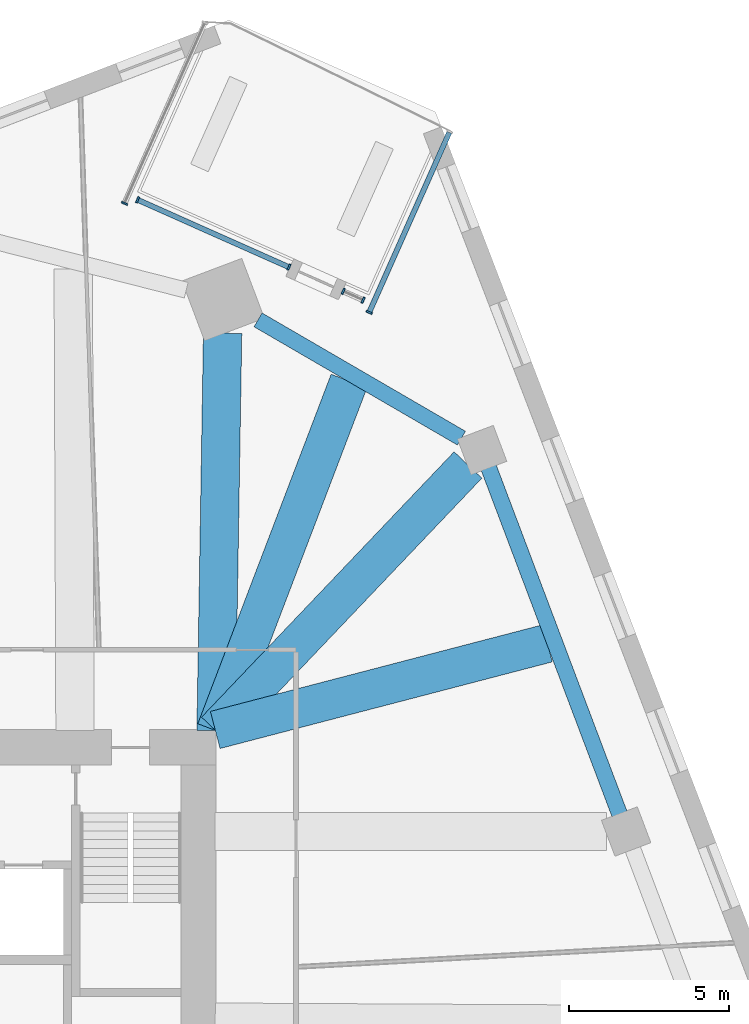
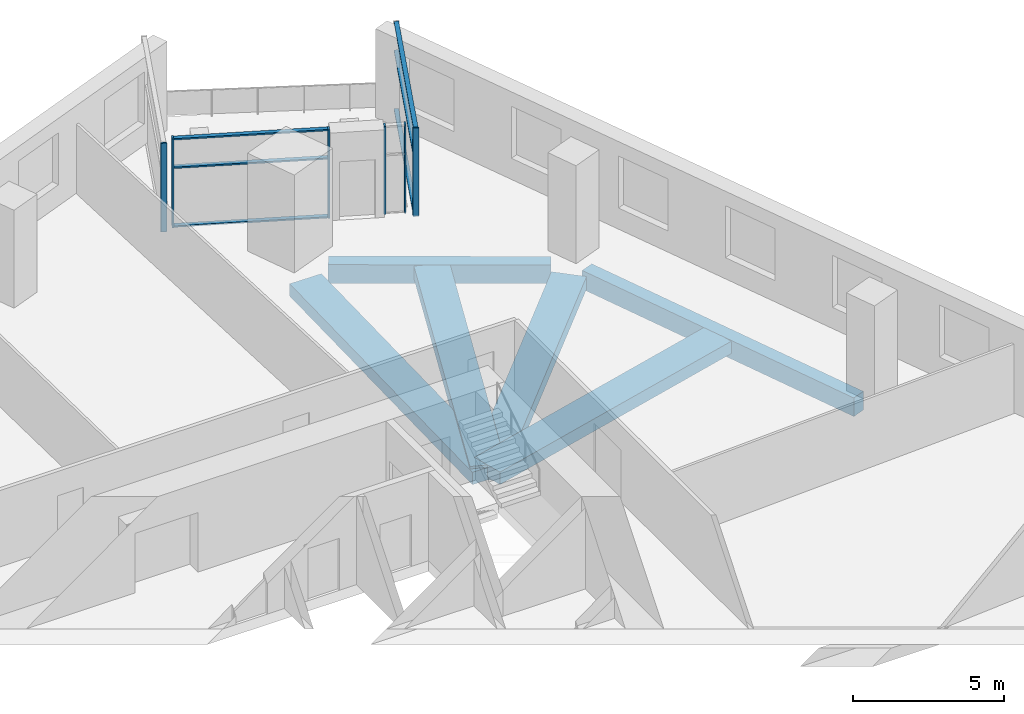
# One storey, part 2 of 14: 12 members, 6 beams, 4 elements without a shape of their own.
"""IFC4 building model written with IfcOpenShell, lengths in metres."""

from ifc_helpers import new_model, si_unit, direction, frame, origin, origin_2d, place, context, subcontext, project, spatial, rectangle, extrude, material, material_profile, profile_set, type_object, element, aggregate, save


model = new_model("IFC4")

# Units and contexts
model_context = context("Model", 3, precision=1e-05, world=origin(), true_north=direction((0.0, 1.0)))
body_context = subcontext(model_context, "Body", "Model", "MODEL_VIEW")
ifc_project = project(units=[si_unit("LENGTHUNIT", "METRE"), si_unit("AREAUNIT", "SQUARE_METRE"), si_unit("VOLUMEUNIT", "CUBIC_METRE"), si_unit("PLANEANGLEUNIT", "RADIAN"), si_unit("MASSUNIT", "GRAM", prefix="KILO")], contexts=[model_context])

# Site, building, storey
site_placement = place(None, origin())
site = spatial("IfcSite", under=ifc_project, at=site_placement, CompositionType="ELEMENT")
building_placement = place(site_placement, origin())
building = spatial("IfcBuilding", under=site, at=building_placement, Name="Dilmun Exchange Tower", CompositionType="ELEMENT")
storey_placement = place(building_placement, frame((0.0, 0.0, 102.10009765625)))
storey = spatial("IfcBuildingStorey", under=building, at=storey_placement, Name="L23", CompositionType="ELEMENT", Elevation=102.10009765625)

# Curtain wall, member
ifc_material_1 = material(Name="Anodised aluminium and clear glass", Category="aluminium")
curtain_wall_type = type_object("IfcCurtainWallType", Name="Garden corner glazing", PredefinedType="NOTDEFINED", material=ifc_material_1)
curtain_wall_1_placement = place(storey_placement, origin())
curtain_wall_1 = element("IfcCurtainWall", 1, at=curtain_wall_1_placement, inside=storey, type_object=curtain_wall_type, Name="Garden corner glazing run GC1.1", PredefinedType="NOTDEFINED")
ifc_material_2 = material(Name="Anodised aluminium", Category="aluminium")
ifc_material_profile_1 = material_profile(ifc_material_2, rectangle(XDim=0.199951171875, YDim=0.06005859375, at=origin_2d()), Name="AL 60x200")
ifc_profile_set_1 = profile_set([ifc_material_profile_1], Name="Anodised aluminium")
member_type_1 = type_object("IfcMemberType", Name="Garden corner glazing mullion 60 x 200", PredefinedType="MULLION", material=ifc_profile_set_1)
member_1_placement = place(storey_placement, frame((17.689697265625, 25.95556640625, 0.0), z_axis=(0.0, 0.0, 1.0), x_axis=(0.913542660018, -0.406742926585, 0.0)))
member_1 = element("IfcMember", 2, at=member_1_placement, type_object=member_type_1, Name="GC1.1 mullion 2", PredefinedType="MULLION", context=body_context, shape_type="SweptSolid", body=[
    extrude(rectangle(XDim=0.199951171875, YDim=0.06005859375, at=origin_2d()), origin(), (0.0, 0.0, 1.0), 3.579833984375),
])

# Curtain wall, members
curtain_wall_2_placement = place(storey_placement, origin())
curtain_wall_2 = element("IfcCurtainWall", 3, at=curtain_wall_2_placement, inside=storey, type_object=curtain_wall_type, Name="Garden corner glazing run GC2.1", PredefinedType="NOTDEFINED")
member_2_placement = place(storey_placement, frame((17.498046875, 26.33642578125, 0.0), z_axis=(0.0, 0.0, 1.0), x_axis=(-0.406828767469, -0.913504435654, 0.0)))
member_2 = element("IfcMember", 4, at=member_2_placement, type_object=member_type_1, Name="GC2.1 mullion 1", PredefinedType="MULLION", context=body_context, shape_type="SweptSolid", body=[
    extrude(rectangle(XDim=0.199951171875, YDim=0.06005859375, at=origin_2d()), origin(), (0.0, 0.0, 1.0), 3.579833984375),
])
member_3_placement = place(storey_placement, frame((16.877685546875, 26.61279296875, 0.0), z_axis=(0.0, 0.0, 1.0), x_axis=(-0.406828767469, -0.913504435654, 0.0)))
member_3 = element("IfcMember", 5, at=member_3_placement, type_object=member_type_1, Name="GC2.1 mullion 2", PredefinedType="MULLION", context=body_context, shape_type="SweptSolid", body=[
    extrude(rectangle(XDim=0.199951171875, YDim=0.06005859375, at=origin_2d()), origin(), (0.0, 0.0, 1.0), 3.579833984375),
])
aggregate(curtain_wall_2, [member_2, member_3])

curtain_wall_3_placement = place(storey_placement, origin())
curtain_wall_3 = element("IfcCurtainWall", 6, at=curtain_wall_3_placement, inside=storey, type_object=curtain_wall_type, Name="Garden corner glazing run GC2.3", PredefinedType="NOTDEFINED")
member_4_placement = place(storey_placement, frame((15.178466796875, 27.369140625, 0.0), z_axis=(0.0, 0.0, 1.0), x_axis=(-0.406735207683, -0.913546096719, 0.0)))
member_4 = element("IfcMember", 7, at=member_4_placement, type_object=member_type_1, Name="GC2.3 mullion 1", PredefinedType="MULLION", context=body_context, shape_type="SweptSolid", body=[
    extrude(rectangle(XDim=0.199951171875, YDim=0.06005859375, at=origin_2d()), origin(), (0.0, 0.0, 1.0), 3.579833984375),
])
member_5_placement = place(storey_placement, frame((10.447265625, 29.4755859375, 0.0), z_axis=(0.0, 0.0, 1.0), x_axis=(-0.406735207683, -0.913546096719, 0.0)))
member_5 = element("IfcMember", 8, at=member_5_placement, type_object=member_type_1, Name="GC2.3 mullion 2", PredefinedType="MULLION", context=body_context, shape_type="SweptSolid", body=[
    extrude(rectangle(XDim=0.199951171875, YDim=0.06005859375, at=origin_2d()), origin(), (0.0, 0.0, 1.0), 3.579833984375),
])

# Curtain wall, member
curtain_wall_4_placement = place(storey_placement, origin())
curtain_wall_4 = element("IfcCurtainWall", 9, at=curtain_wall_4_placement, inside=storey, type_object=curtain_wall_type, Name="Garden corner glazing run GC3.1", PredefinedType="NOTDEFINED")
member_6_placement = place(storey_placement, frame((10.035888671875, 29.36328125, 0.0), z_axis=(0.0, 0.0, 1.0), x_axis=(-0.913542660018, 0.406742926585, 0.0)))
member_6 = element("IfcMember", 10, at=member_6_placement, type_object=member_type_1, Name="GC3.1 mullion 1", PredefinedType="MULLION", context=body_context, shape_type="SweptSolid", body=[
    extrude(rectangle(XDim=0.199951171875, YDim=0.06005859375, at=origin_2d()), origin(), (0.0, 0.0, 1.0), 3.579833984375),
])
aggregate(curtain_wall_4, [member_6])

# Member
ifc_material_profile_2 = material_profile(ifc_material_2, rectangle(XDim=0.159912109375, YDim=0.06005859375, at=origin_2d()), Name="AL 60x160")
ifc_profile_set_2 = profile_set([ifc_material_profile_2], Name="Anodised aluminium")
member_type_2 = type_object("IfcMemberType", Name="Garden corner glazing transom 60 x 160", PredefinedType="USERDEFINED", material=ifc_profile_set_2)
member_7_placement = place(storey_placement, frame((20.19384765625, 31.579833984375, 0.02978515625), z_axis=(-0.406741045913, -0.91354349736, 0.0), x_axis=(0.91354349736, -0.406741045913, 0.0)))
member_7 = element("IfcMember", 11, at=member_7_placement, type_object=member_type_2, Name="GC1.1 transom 1.1", ObjectType="TRANSOM", PredefinedType="USERDEFINED", context=body_context, shape_type="SweptSolid", body=[
    extrude(rectangle(XDim=0.159912109375, YDim=0.06005859375, at=origin_2d()), origin(), (0.0, 0.0, 1.0), 6.126708984375),
])

member_8_placement = place(storey_placement, frame((20.19384765625, 31.579833984375, 2.39990234375), z_axis=(-0.406741045913, -0.91354349736, 0.0), x_axis=(0.91354349736, -0.406741045913, 0.0)))
member_8 = element("IfcMember", 12, at=member_8_placement, type_object=member_type_2, Name="GC1.1 transom 1.2", ObjectType="TRANSOM", PredefinedType="USERDEFINED", context=body_context, shape_type="SweptSolid", body=[
    extrude(rectangle(XDim=0.159912109375, YDim=0.06005859375, at=origin_2d()), origin(), (0.0, 0.0, 1.0), 6.126708984375),
])

member_9_placement = place(storey_placement, frame((20.19384765625, 31.579833984375, 3.5498046875), z_axis=(-0.406741045913, -0.91354349736, 0.0), x_axis=(0.91354349736, -0.406741045913, 0.0)))
member_9 = element("IfcMember", 13, at=member_9_placement, type_object=member_type_2, Name="GC1.1 transom 1.3", ObjectType="TRANSOM", PredefinedType="USERDEFINED", context=body_context, shape_type="SweptSolid", body=[
    extrude(rectangle(XDim=0.159912109375, YDim=0.06005859375, at=origin_2d()), origin(), (0.0, 0.0, 1.0), 6.126708984375),
])

aggregate(curtain_wall_1, [member_1, member_7, member_8, member_9])

member_10_placement = place(storey_placement, frame((15.151123046875, 27.38134765625, 0.02978515625), z_axis=(-0.913551756856, 0.406722494517, 0.0), x_axis=(-0.406722494517, -0.913551756856, 0.0)))
member_10 = element("IfcMember", 14, at=member_10_placement, type_object=member_type_2, Name="GC2.3 transom 1.1", ObjectType="TRANSOM", PredefinedType="USERDEFINED", context=body_context, shape_type="SweptSolid", body=[
    extrude(rectangle(XDim=0.159912109375, YDim=0.06005859375, at=origin_2d()), origin(), (0.0, 0.0, 1.0), 5.119140625),
])

member_11_placement = place(storey_placement, frame((15.151123046875, 27.38134765625, 2.39990234375), z_axis=(-0.913551756856, 0.406722494517, 0.0), x_axis=(-0.406722494517, -0.913551756856, 0.0)))
member_11 = element("IfcMember", 15, at=member_11_placement, type_object=member_type_2, Name="GC2.3 transom 1.2", ObjectType="TRANSOM", PredefinedType="USERDEFINED", context=body_context, shape_type="SweptSolid", body=[
    extrude(rectangle(XDim=0.159912109375, YDim=0.06005859375, at=origin_2d()), origin(), (0.0, 0.0, 1.0), 5.119140625),
])

member_12_placement = place(storey_placement, frame((15.151123046875, 27.38134765625, 3.5498046875), z_axis=(-0.913551756856, 0.406722494517, 0.0), x_axis=(-0.406722494517, -0.913551756856, 0.0)))
member_12 = element("IfcMember", 16, at=member_12_placement, type_object=member_type_2, Name="GC2.3 transom 1.3", ObjectType="TRANSOM", PredefinedType="USERDEFINED", context=body_context, shape_type="SweptSolid", body=[
    extrude(rectangle(XDim=0.159912109375, YDim=0.06005859375, at=origin_2d()), origin(), (0.0, 0.0, 1.0), 5.119140625),
])

aggregate(curtain_wall_3, [member_4, member_5, member_10, member_11, member_12])

# Beams
ifc_material_3 = material(Name="Concrete C40/50", Category="concrete")
ifc_material_profile_3 = material_profile(ifc_material_3, rectangle(XDim=1.199951171875, YDim=0.5, at=origin_2d()), Name="1200 x 500")
ifc_profile_set_3 = profile_set([ifc_material_profile_3], Name="Concrete C40/50")
beam_type_1 = type_object("IfcBeamType", Name="RC band beam 1200 x 500 C40/50", PredefinedType="BEAM", material=ifc_profile_set_3)
beam_1_placement = place(storey_placement, frame((13.104736328125, 25.305419921875, -0.77001953125), z_axis=(-0.016493249431, -0.99986397711, 0.0), x_axis=(0.99986397711, -0.016493249431, 0.0)))
element("IfcBeam", 17, at=beam_1_placement, inside=storey, type_object=beam_type_1, Name="Band beam 1", PredefinedType="BEAM", context=body_context, shape_type="SweptSolid", body=[
    extrude(rectangle(XDim=1.199951171875, YDim=0.5, at=origin_2d()), origin(), (0.0, 0.0, 1.0), 12.43408203125),
])
beam_2_placement = place(storey_placement, frame((20.780517578125, 21.181884765625, -0.77001953125), z_axis=(-0.689333244672, -0.724444392476, 0.0), x_axis=(0.724444392476, -0.689333244672, 0.0)))
element("IfcBeam", 18, at=beam_2_placement, inside=storey, type_object=beam_type_1, Name="Band beam 16", PredefinedType="BEAM", context=body_context, shape_type="SweptSolid", body=[
    extrude(rectangle(XDim=1.199951171875, YDim=0.5, at=origin_2d()), origin(), (0.0, 0.0, 1.0), 11.459228515625),
])
beam_3_placement = place(storey_placement, frame((23.264892578125, 15.602294921875, -0.670166015625), z_axis=(-0.967651305888, -0.252291399404, 0.0), x_axis=(0.252291399404, -0.967651305888, 0.0)))
element("IfcBeam", 19, at=beam_3_placement, inside=storey, type_object=beam_type_1, Name="Band beam 31", PredefinedType="BEAM", context=body_context, shape_type="SweptSolid", body=[
    extrude(rectangle(XDim=1.199951171875, YDim=0.5, at=origin_2d()), origin(), (0.0, 0.0, 1.0), 10.738525390625),
])
beam_4_placement = place(storey_placement, frame((17.059326171875, 23.806640625, -0.670166015625), z_axis=(-0.356325045493, -0.934362061491, 0.0), x_axis=(0.934362061491, -0.356325045493, 0.0)))
element("IfcBeam", 20, at=beam_4_placement, inside=storey, type_object=beam_type_1, Name="Band beam 32", PredefinedType="BEAM", context=body_context, shape_type="SweptSolid", body=[
    extrude(rectangle(XDim=1.199951171875, YDim=0.5, at=origin_2d()), origin(), (0.0, 0.0, 1.0), 11.699951171875),
])
ifc_material_profile_4 = material_profile(ifc_material_3, rectangle(XDim=0.5, YDim=0.75, at=origin_2d()), Name="500 x 750")
ifc_profile_set_4 = profile_set([ifc_material_profile_4], Name="Concrete C40/50")
beam_type_2 = type_object("IfcBeamType", Name="RC ring beam 500 x 750 C40/50", PredefinedType="SPANDREL", material=ifc_profile_set_4)
beam_5_placement = place(storey_placement, frame((25.5234375, 10.2529296875, -0.795166015625), z_axis=(-0.353303601311, 0.935508720056, 0.0), x_axis=(-0.935508720056, -0.353303601311, 0.0)))
element("IfcBeam", 21, at=beam_5_placement, inside=storey, type_object=beam_type_2, Name="Ring beam 15", PredefinedType="SPANDREL", context=body_context, shape_type="SweptSolid", body=[
    extrude(rectangle(XDim=0.5, YDim=0.75, at=origin_2d()), origin(), (0.0, 0.0, 1.0), 11.604248046875),
])
beam_6_placement = place(storey_placement, frame((20.57568359375, 22.020263671875, -0.795166015625), z_axis=(-0.864503499359, 0.50262679952, 0.0), x_axis=(-0.50262679952, -0.864503499359, 0.0)))
element("IfcBeam", 22, at=beam_6_placement, inside=storey, type_object=beam_type_2, Name="Ring beam 16", PredefinedType="SPANDREL", context=body_context, shape_type="SweptSolid", body=[
    extrude(rectangle(XDim=0.5, YDim=0.75, at=origin_2d()), origin(), (0.0, 0.0, 1.0), 7.35986328125),
])

save(model, "model.ifc")
